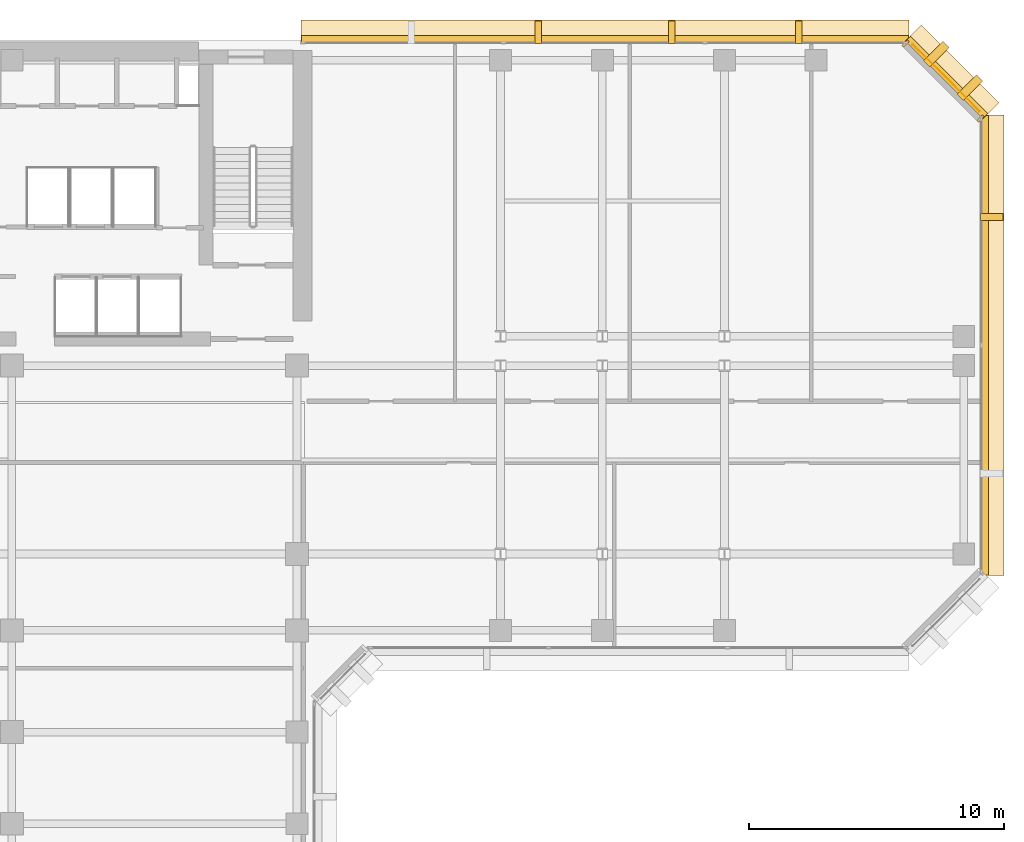
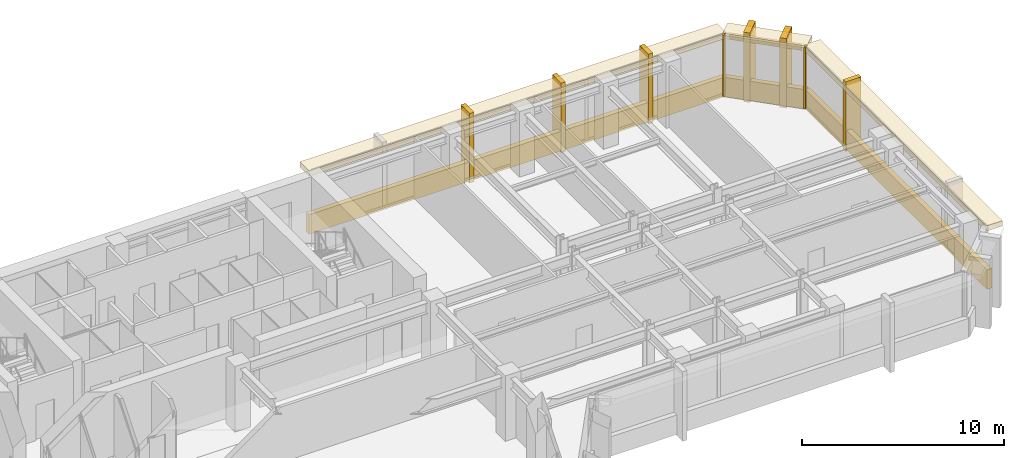
# One storey, part 11 of 11: 15 coverings.
"""IFC4 building model written with IfcOpenShell, lengths in metres."""

from ifc_helpers import new_model, si_unit, direction, frame, origin, origin_2d, place, context, subcontext, project, spatial, rectangle, extrude, material, layer, layer_set, type_object, element, save


model = new_model("IFC4")

# Units and contexts
model_context = context("Model", 3, precision=1e-05, world=origin(), true_north=direction((0.0, 1.0)))
body_context = subcontext(model_context, "Body", "Model", "MODEL_VIEW")
ifc_project = project(units=[si_unit("LENGTHUNIT", "METRE"), si_unit("AREAUNIT", "SQUARE_METRE"), si_unit("VOLUMEUNIT", "CUBIC_METRE"), si_unit("PLANEANGLEUNIT", "RADIAN"), si_unit("MASSUNIT", "GRAM", prefix="KILO")], contexts=[model_context])

# Site, building, storey
site_placement = place(None, origin())
site = spatial("IfcSite", under=ifc_project, at=site_placement, CompositionType="ELEMENT")
building_placement = place(site_placement, origin())
building = spatial("IfcBuilding", under=site, at=building_placement, Name="Kefirva Bronze Tower", CompositionType="ELEMENT")
storey_placement = place(building_placement, frame((0.0, 0.0, 134.969970703125)))
storey = spatial("IfcBuildingStorey", under=building, at=storey_placement, Name="L32", CompositionType="ELEMENT", Elevation=134.969970703125)

# Coverings
ifc_material = material(Name="Bronze anodised aluminium", Category="aluminium")
ifc_layer_1 = layer(ifc_material, 0.02001953125, Name="Bronze anodised aluminium")
ifc_layer_set_1 = layer_set([ifc_layer_1], Name="Bronze anodised aluminium")
covering_type_1 = type_object("IfcCoveringType", Name="Anodised Bronze Spandrel Cladding 20mm", PredefinedType="CLADDING", material=ifc_layer_set_1)
covering_1_placement = place(storey_placement, frame((50.239990234375, 34.0, -0.16015625), z_axis=(0.0, 0.0, 1.0), x_axis=(0.0, 1.0, 0.0)))
element("IfcCovering", 1, at=covering_1_placement, inside=storey, type_object=covering_type_1, Name="L32 Streamline Horizontal Spandrel Band 6", PredefinedType="CLADDING", context=body_context, shape_type="SweptSolid", body=[
    extrude(rectangle(XDim=18.0400390625, YDim=0.280029296875, at=origin_2d()), origin(), (0.0, 0.0, 1.0), 1.179931640625),
])
covering_2_placement = place(storey_placement, frame((48.70703125, 44.507080078125, 3.2900390625), z_axis=(0.0, 0.0, 1.0), x_axis=(-0.707106781187, 0.707106781187, 0.0)))
element("IfcCovering", 2, at=covering_2_placement, inside=storey, type_object=covering_type_1, Name="L32 Bronze Spandrel Cladding 4", PredefinedType="CLADDING", context=body_context, shape_type="SweptSolid", body=[
    extrude(rectangle(XDim=3.719482421875, YDim=0.02001953125, at=origin_2d()), origin(), (0.0, 0.0, 1.0), 0.39990234375),
])
for number, where, z_axis, x_axis, name in (
    (3, (50.06201171875, 42.91162109375, 0.0), (0.0, 0.0, 1.0), (-0.707106781187, 0.707106781187, 0.0), "L32 Facade Joint Closure Panel 4S"),
    (4, (47.11181640625, 45.862060546875, 0.0), (0.0, 0.0, 1.0), (-0.707106781187, 0.707106781187, 0.0), "L32 Facade Joint Closure Panel 4E"),
):
    element("IfcCovering", number, at=place(storey_placement, frame(where, z_axis=z_axis, x_axis=x_axis)), inside=storey, type_object=covering_type_1, Name=name, PredefinedType="CLADDING", context=body_context, shape_type="SweptSolid", body=[
        extrude(rectangle(XDim=0.10009765625, YDim=0.320068359375, at=origin_2d()), origin(), (0.0, 0.0, 1.0), 3.7099609375),
    ])
covering_3_placement = place(storey_placement, frame((48.728271484375, 44.5283203125, -0.16015625), z_axis=(0.0, 0.0, 1.0), x_axis=(-0.707106781187, 0.707106781187, 0.0)))
element("IfcCovering", 5, at=covering_3_placement, inside=storey, type_object=covering_type_1, Name="L32 Streamline Horizontal Spandrel Band 7", PredefinedType="CLADDING", context=body_context, shape_type="SweptSolid", body=[
    extrude(rectangle(XDim=4.28271484375, YDim=0.280029296875, at=origin_2d()), origin(), (0.0, 0.0, 1.0), 1.179931640625),
])
covering_4_placement = place(storey_placement, frame((35.302490234375, 46.0400390625, -0.16015625), z_axis=(0.0, 0.0, 1.0), x_axis=(-1.0, 0.0, 0.0)))
element("IfcCovering", 6, at=covering_4_placement, inside=storey, type_object=covering_type_1, Name="L32 Streamline Horizontal Spandrel Band 8", PredefinedType="CLADDING", context=body_context, shape_type="SweptSolid", body=[
    extrude(rectangle(XDim=23.8349609375, YDim=0.280029296875, at=origin_2d()), origin(), (0.0, 0.0, 1.0), 1.179931640625),
])
ifc_layer_2 = layer(ifc_material, 0.179931640625, Name="Bronze anodised aluminium")
ifc_layer_set_2 = layer_set([ifc_layer_2], Name="Bronze anodised aluminium")
covering_type_2 = type_object("IfcCoveringType", Name="Streamline Bronze Sunshade Eyebrow Cladding 180mm", PredefinedType="CLADDING", material=ifc_layer_set_2)
covering_5_placement = place(storey_placement, frame((50.510009765625, 34.0, 3.39013671875), z_axis=(0.0, 0.0, 1.0), x_axis=(0.0, 1.0, 0.0)))
element("IfcCovering", 7, at=covering_5_placement, inside=storey, type_object=covering_type_2, Name="L32 Streamline Bronze Sunshade Eyebrow 6", PredefinedType="CLADDING", context=body_context, shape_type="SweptSolid", body=[
    extrude(rectangle(XDim=18.080078125, YDim=0.93994140625, at=origin_2d()), origin(), (0.0, 0.0, 1.0), 0.320068359375),
])
covering_6_placement = place(storey_placement, frame((48.919189453125, 44.71923828125, 3.39013671875), z_axis=(0.0, 0.0, 1.0), x_axis=(-0.707106781187, 0.707106781187, 0.0)))
element("IfcCovering", 8, at=covering_6_placement, inside=storey, type_object=covering_type_2, Name="L32 Streamline Bronze Sunshade Eyebrow 7", PredefinedType="CLADDING", context=body_context, shape_type="SweptSolid", body=[
    extrude(rectangle(XDim=4.322509765625, YDim=0.93994140625, at=origin_2d()), origin(), (0.0, 0.0, 1.0), 0.320068359375),
])
covering_7_placement = place(storey_placement, frame((35.302490234375, 46.31005859375, 3.39013671875), z_axis=(0.0, 0.0, 1.0), x_axis=(-1.0, 0.0, 0.0)))
element("IfcCovering", 9, at=covering_7_placement, inside=storey, type_object=covering_type_2, Name="L32 Streamline Bronze Sunshade Eyebrow 8", PredefinedType="CLADDING", context=body_context, shape_type="SweptSolid", body=[
    extrude(rectangle(XDim=23.875, YDim=0.93994140625, at=origin_2d()), origin(), (0.0, 0.0, 1.0), 0.320068359375),
])
ifc_layer_3 = layer(ifc_material, 0.260009765625, Name="Bronze anodised aluminium")
ifc_layer_set_3 = layer_set([ifc_layer_3], Name="Bronze anodised aluminium")
covering_type_3 = type_object("IfcCoveringType", Name="Unbroken Bronze Buttress Fin Cladding 260mm", PredefinedType="CLADDING", material=ifc_layer_set_3)
covering_8_placement = place(storey_placement, frame((50.5, 39.0400390625, -0.25), z_axis=(0.0, 0.0, 1.0), x_axis=(0.0, 1.0, 0.0)))
element("IfcCovering", 10, at=covering_8_placement, inside=storey, type_object=covering_type_3, Name="L32 Unbroken Vertical Bronze Rib Fin 14", PredefinedType="CLADDING", context=body_context, shape_type="SweptSolid", body=[
    extrude(rectangle(XDim=0.260009765625, YDim=0.8798828125, at=origin_2d()), origin(), (0.0, 0.0, 1.0), 4.2099609375),
])
for number, where, z_axis, x_axis, name in (
    (11, (49.642822265625, 44.122802734375, -0.25), (0.0, 0.0, 1.0), (-0.707106781187, 0.707106781187, 0.0), "L32 Chamfered Corner Buttress Fin Cladding 15"),
    (12, (48.32275390625, 45.44287109375, -0.25), (0.0, 0.0, 1.0), (-0.707106781187, 0.707106781187, 0.0), "L32 Chamfered Corner Buttress Fin Cladding 16"),
):
    element("IfcCovering", number, at=place(storey_placement, frame(where, z_axis=z_axis, x_axis=x_axis)), inside=storey, type_object=covering_type_3, Name=name, PredefinedType="CLADDING", context=body_context, shape_type="SweptSolid", body=[
        extrude(rectangle(XDim=0.340087890625, YDim=1.080078125, at=origin_2d()), origin(), (0.0, 0.0, 1.0), 4.2099609375),
    ])
for number, where, z_axis, x_axis, name in (
    (13, (42.9169921875, 46.300048828125, -0.25), (0.0, 0.0, 1.0), (-1.0, 0.0, 0.0), "L32 Unbroken Vertical Bronze Rib Fin 17"),
    (14, (37.919921875, 46.300048828125, -0.25), (0.0, 0.0, 1.0), (-1.0, 0.0, 0.0), "L32 Unbroken Vertical Bronze Rib Fin 18"),
    (15, (32.68505859375, 46.300048828125, -0.25), (0.0, 0.0, 1.0), (-1.0, 0.0, 0.0), "L32 Unbroken Vertical Bronze Rib Fin 19"),
):
    element("IfcCovering", number, at=place(storey_placement, frame(where, z_axis=z_axis, x_axis=x_axis)), inside=storey, type_object=covering_type_3, Name=name, PredefinedType="CLADDING", context=body_context, shape_type="SweptSolid", body=[
        extrude(rectangle(XDim=0.260009765625, YDim=0.8798828125, at=origin_2d()), origin(), (0.0, 0.0, 1.0), 4.2099609375),
    ])

save(model, "model.ifc")
